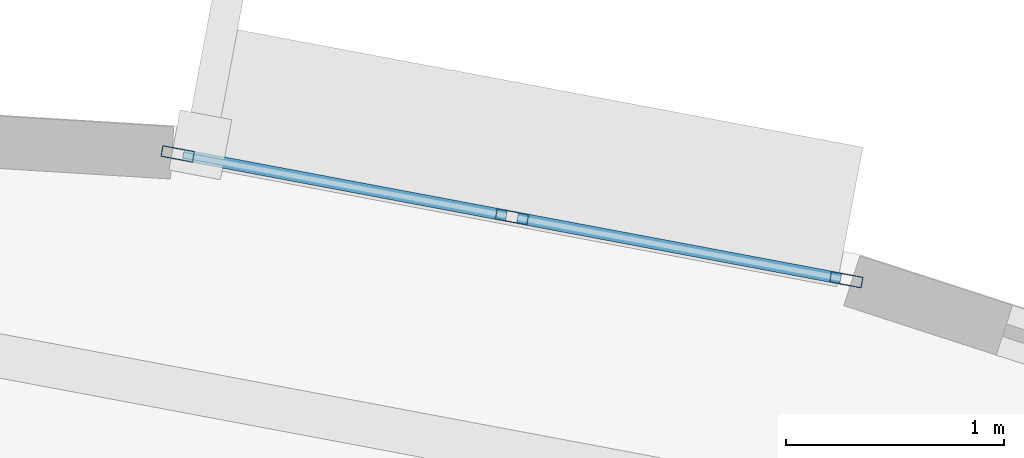
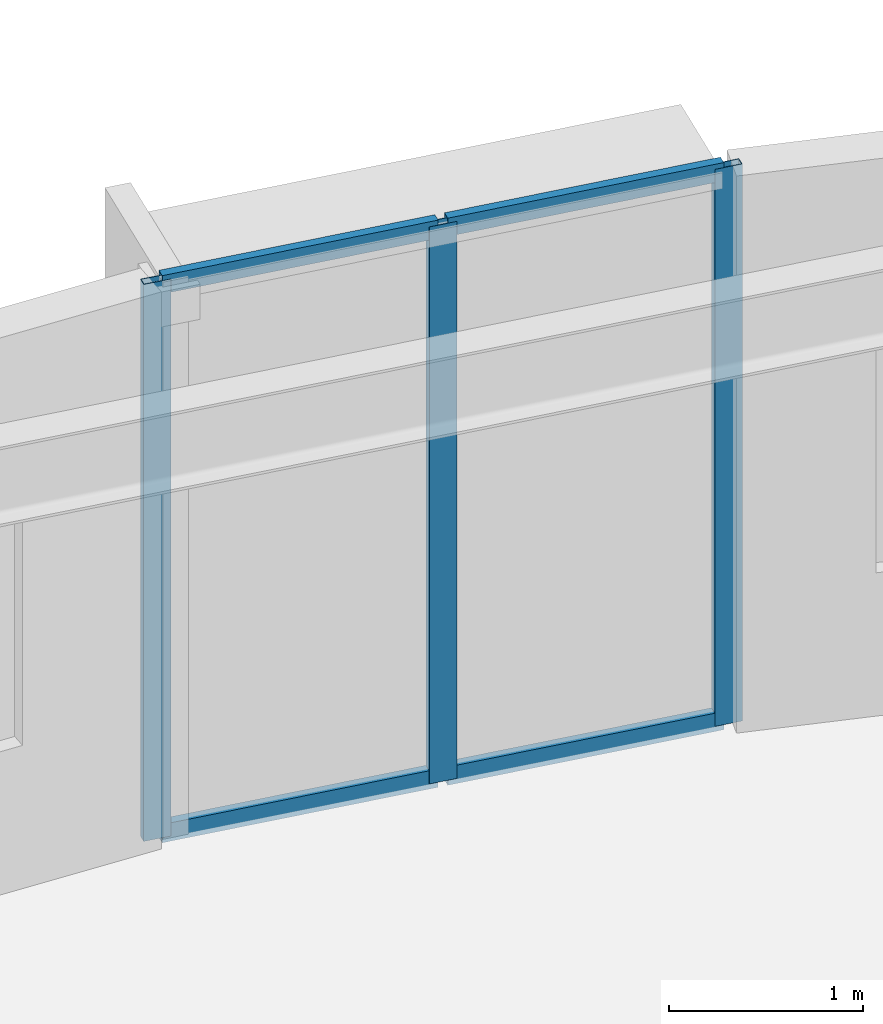
# One storey, part 3 of 16: 7 members, 1 element without a shape of its own.
"""IFC4 building model written with IfcOpenShell, lengths in metres."""

from ifc_helpers import new_model, si_unit, direction, frame, origin, origin_2d, place, context, subcontext, project, spatial, hollow_rectangle, extrude, source, transform, mapped, material, layer, layer_set, material_profile, profile_set, type_object, element, aggregate, save


model = new_model("IFC4")

# Units and contexts
model_context = context("Model", 3, precision=1e-05, world=origin(), true_north=direction((0.0, 1.0)))
body_context = subcontext(model_context, "Body", "Model", "MODEL_VIEW")
ifc_project = project(units=[si_unit("LENGTHUNIT", "METRE"), si_unit("AREAUNIT", "SQUARE_METRE"), si_unit("VOLUMEUNIT", "CUBIC_METRE"), si_unit("PLANEANGLEUNIT", "RADIAN"), si_unit("MASSUNIT", "GRAM", prefix="KILO")], contexts=[model_context])

# Site, building, storey
site_placement = place(None, origin())
site = spatial("IfcSite", under=ifc_project, at=site_placement, CompositionType="ELEMENT")
building_placement = place(site_placement, origin())
building = spatial("IfcBuilding", under=site, at=building_placement, Name="Linh Dai School and Residence Tower", CompositionType="ELEMENT")
storey_placement = place(building_placement, frame((0.0, 0.0, 343.0)))
storey = spatial("IfcBuildingStorey", under=building, at=storey_placement, Name="L85", CompositionType="ELEMENT", Elevation=343.0)

# Curtain wall, members
ifc_material_1 = material(Name="Aluminium Anodised Curtain Wall", Category="aluminium")
ifc_layer = layer(ifc_material_1, 0.14990234375)
ifc_layer_set = layer_set([ifc_layer], Name="Aluminium Anodised Curtain Wall")
curtain_wall_type = type_object("IfcCurtainWallType", Name="CW-SYS-4", PredefinedType="USERDEFINED", material=ifc_layer_set)
curtain_wall_placement = place(storey_placement, origin())
curtain_wall = element("IfcCurtainWall", 1, at=curtain_wall_placement, inside=storey, type_object=curtain_wall_type, Name="L85 CW4 Curtain Wall 09", ObjectType="RIBBON CURTAIN WALL", PredefinedType="USERDEFINED")
ifc_material_2 = material(Name="Aluminium Alloy 6063-T6", Category="aluminium")
ifc_material_profile_1 = material_profile(ifc_material_2, hollow_rectangle(XDim=0.052001953125, YDim=0.14990234375, WallThickness=0.00390625, at=origin_2d()), Name="RHS 150x52x4")
ifc_profile_set_1 = profile_set([ifc_material_profile_1], Name="Aluminium Alloy 6063-T6")
member_type_1 = type_object("IfcMemberType", Name="CW-SYS-4-MUL", PredefinedType="MULLION", material=ifc_profile_set_1)
shared_shape_1 = source(origin(), body_context, "Body", "SweptSolid", [
    extrude(hollow_rectangle(XDim=0.052001953125, YDim=0.14990234375, WallThickness=0.00390625, at=origin_2d()), origin(), (0.0, 0.0, 1.0), 3.5),
])
member_1_placement = place(storey_placement, frame((39.217041015625, 42.728515625, 0.0), z_axis=(0.0, 0.0, 1.0), x_axis=(0.184784564405, 0.982779051851, 0.0)))
member_1 = element("IfcMember", 2, at=member_1_placement, type_object=member_type_1, Name="CW4 mullion 1", PredefinedType="MULLION", context=body_context, shape_type="MappedRepresentation", body=[
    mapped(shared_shape_1, transform((0.0, 0.0, 0.0), x_axis=(1.0, 0.0, 0.0), y_axis=(0.0, 1.0, 0.0), z_axis=(0.0, 0.0, 1.0), scale=1.0)),
])
member_2_placement = place(storey_placement, frame((40.747802734375, 42.440673828125, 0.0), z_axis=(0.0, 0.0, 1.0), x_axis=(0.184784564405, 0.982779051851, 0.0)))
member_2 = element("IfcMember", 3, at=member_2_placement, type_object=member_type_1, Name="CW4 mullion 2", PredefinedType="MULLION", context=body_context, shape_type="MappedRepresentation", body=[
    mapped(shared_shape_1, transform((0.0, 0.0, 0.0), x_axis=(1.0, 0.0, 0.0), y_axis=(0.0, 1.0, 0.0), z_axis=(0.0, 0.0, 1.0), scale=1.0)),
])
member_3_placement = place(storey_placement, frame((42.278564453125, 42.15283203125, 0.0), z_axis=(0.0, 0.0, 1.0), x_axis=(0.184784564405, 0.982779051851, 0.0)))
member_3 = element("IfcMember", 4, at=member_3_placement, type_object=member_type_1, Name="CW4 mullion 3", PredefinedType="MULLION", context=body_context, shape_type="MappedRepresentation", body=[
    mapped(shared_shape_1, transform((0.0, 0.0, 0.0), x_axis=(1.0, 0.0, 0.0), y_axis=(0.0, 1.0, 0.0), z_axis=(0.0, 0.0, 1.0), scale=1.0)),
])
ifc_material_profile_2 = material_profile(ifc_material_2, hollow_rectangle(XDim=0.052001953125, YDim=0.114990234375, WallThickness=0.00390625, at=origin_2d()), Name="RHS 115x52x4")
ifc_profile_set_2 = profile_set([ifc_material_profile_2], Name="Aluminium Alloy 6063-T6")
member_type_2 = type_object("IfcMemberType", Name="CW-SYS-4-TRN", PredefinedType="USERDEFINED", material=ifc_profile_set_2)
shared_shape_2 = source(origin(), body_context, "Body", "SweptSolid", [
    extrude(hollow_rectangle(XDim=0.052001953125, YDim=0.114990234375, WallThickness=0.00390625, at=origin_2d()), origin(), (0.0, 0.0, 1.0), 1.50537109375),
])
member_4_placement = place(storey_placement, frame((39.24267578125, 42.7236328125, 0.02587890625), z_axis=(0.982791310108, -0.184719356801, 0.0), x_axis=(0.184719356801, 0.982791310108, 0.0)))
member_4 = element("IfcMember", 5, at=member_4_placement, type_object=member_type_2, Name="CW4 transom 1.1", ObjectType="TRANSOM", PredefinedType="USERDEFINED", context=body_context, shape_type="MappedRepresentation", body=[
    mapped(shared_shape_2, transform((0.0, 0.0, 0.0), x_axis=(1.0, 0.0, 0.0), y_axis=(0.0, 1.0, 0.0), z_axis=(0.0, 0.0, 1.0), scale=1.0)),
])
member_5_placement = place(storey_placement, frame((39.24267578125, 42.7236328125, 3.47412109375), z_axis=(0.982791310108, -0.184719356801, 0.0), x_axis=(0.184719356801, 0.982791310108, 0.0)))
member_5 = element("IfcMember", 6, at=member_5_placement, type_object=member_type_2, Name="CW4 transom 1.2", ObjectType="TRANSOM", PredefinedType="USERDEFINED", context=body_context, shape_type="MappedRepresentation", body=[
    mapped(shared_shape_2, transform((0.0, 0.0, 0.0), x_axis=(1.0, 0.0, 0.0), y_axis=(0.0, 1.0, 0.0), z_axis=(0.0, 0.0, 1.0), scale=1.0)),
])
member_6_placement = place(storey_placement, frame((40.7734375, 42.435791015625, 0.02587890625), z_axis=(0.982791310108, -0.184719356801, 0.0), x_axis=(0.184719356801, 0.982791310108, 0.0)))
member_6 = element("IfcMember", 7, at=member_6_placement, type_object=member_type_2, Name="CW4 transom 2.1", ObjectType="TRANSOM", PredefinedType="USERDEFINED", context=body_context, shape_type="MappedRepresentation", body=[
    mapped(shared_shape_2, transform((0.0, 0.0, 0.0), x_axis=(1.0, 0.0, 0.0), y_axis=(0.0, 1.0, 0.0), z_axis=(0.0, 0.0, 1.0), scale=1.0)),
])
member_7_placement = place(storey_placement, frame((40.7734375, 42.435791015625, 3.47412109375), z_axis=(0.982791310108, -0.184719356801, 0.0), x_axis=(0.184719356801, 0.982791310108, 0.0)))
member_7 = element("IfcMember", 8, at=member_7_placement, type_object=member_type_2, Name="CW4 transom 2.2", ObjectType="TRANSOM", PredefinedType="USERDEFINED", context=body_context, shape_type="MappedRepresentation", body=[
    mapped(shared_shape_2, transform((0.0, 0.0, 0.0), x_axis=(1.0, 0.0, 0.0), y_axis=(0.0, 1.0, 0.0), z_axis=(0.0, 0.0, 1.0), scale=1.0)),
])
aggregate(curtain_wall, [member_1, member_2, member_3, member_4, member_5, member_6, member_7])

save(model, "model.ifc")
